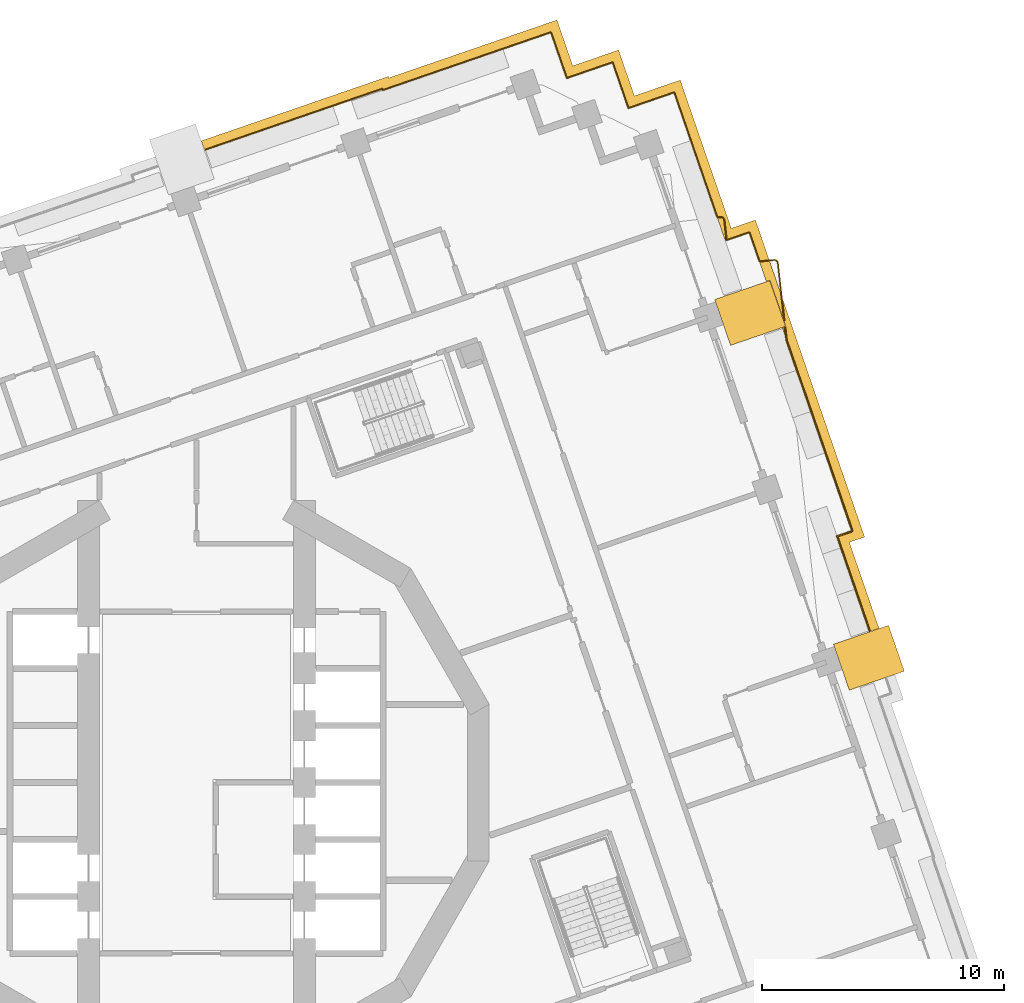
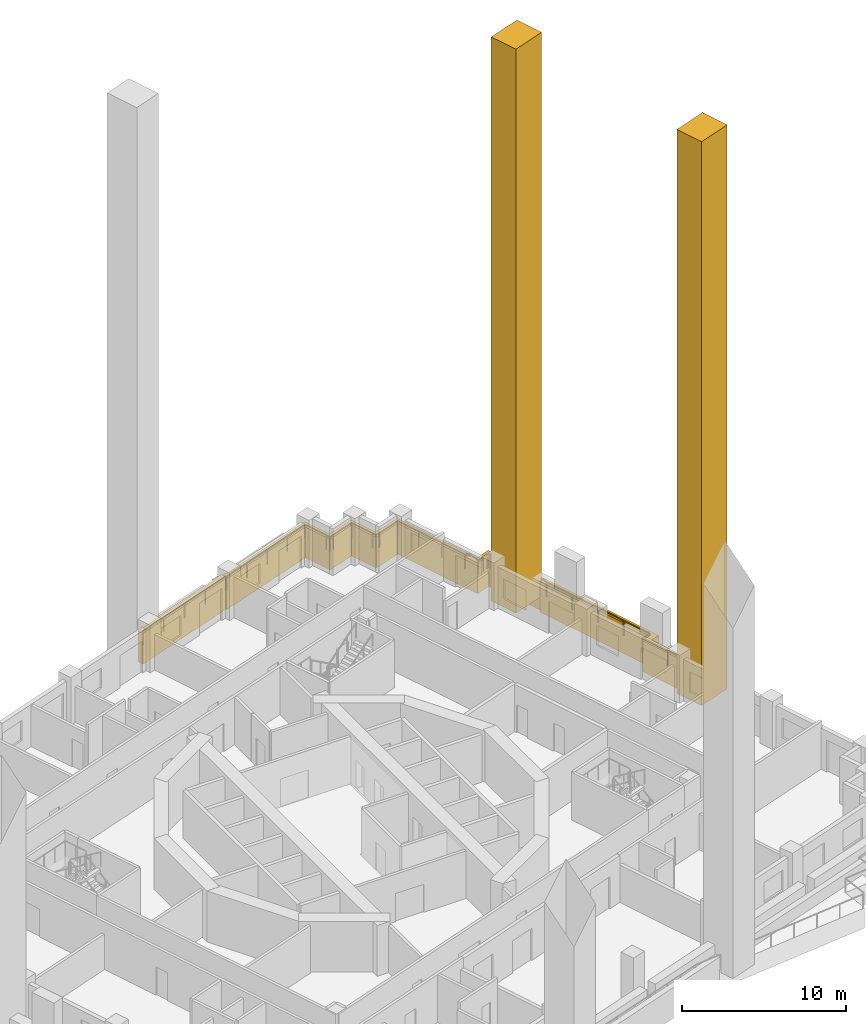
# One storey, part 17 of 18: 3 coverings, 2 railings.
"""IFC4 building model written with IfcOpenShell, lengths in metres."""

from ifc_helpers import new_model, si_unit, direction, frame, origin, origin_2d, place, context, subcontext, project, spatial, polyline, rectangle, circle, outline, extrude, material, type_object, element, save


model = new_model("IFC4")

# Units and contexts
model_context = context("Model", 3, precision=1e-05, world=origin(), true_north=direction((0.0, 1.0)))
body_context = subcontext(model_context, "Body", "Model", "MODEL_VIEW")
ifc_project = project(units=[si_unit("LENGTHUNIT", "METRE"), si_unit("AREAUNIT", "SQUARE_METRE"), si_unit("VOLUMEUNIT", "CUBIC_METRE"), si_unit("PLANEANGLEUNIT", "RADIAN"), si_unit("MASSUNIT", "GRAM", prefix="KILO")], contexts=[model_context])

# Site, building, storey
site_placement = place(None, origin())
site = spatial("IfcSite", under=ifc_project, at=site_placement, CompositionType="ELEMENT")
building_placement = place(site_placement, origin())
building = spatial("IfcBuilding", under=site, at=building_placement, Name="Cantera Rosa Tower", CompositionType="ELEMENT")
storey_placement = place(building_placement, frame((0.0, 0.0, 100.300048828125)))
storey = spatial("IfcBuildingStorey", under=building, at=storey_placement, Name="L19", CompositionType="ELEMENT", Elevation=100.300048828125)

# Railings
ifc_material_1 = material(Name="Stainless steel and laminated glass", Category="steel")
railing_type = type_object("IfcRailingType", Name="GUARD 1100", PredefinedType="BALUSTRADE", material=ifc_material_1)
railing_1_placement = place(storey_placement, frame((0.3525390625, 26.09814453125, 0.0)))
element("IfcRailing", 1, at=railing_1_placement, inside=storey, type_object=railing_type, Name="GUARD L19-10", PredefinedType="BALUSTRADE", context=body_context, shape_type="SweptSolid", body=[
    extrude(circle(Radius=0.030029296875, at=origin_2d()), frame((0.0, 0.0, 1.070068359375), z_axis=(0.945517189381, 0.325572180299, 0.0), x_axis=(-0.325572180299, 0.945517189381, 0.0)), (0.0, 0.0, 1.0), 7.731201171875),
    extrude(circle(Radius=0.030029296875, at=origin_2d()), frame((7.31005859375, 2.51708984375, 1.070068359375), z_axis=(0.325745820547, -0.945457381587, 0.0), x_axis=(0.945457381587, 0.325745820547, 0.0)), (0.0, 0.0, 1.0), 0.0615234375),
    extrude(circle(Radius=0.030029296875, at=origin_2d()), frame((7.330078125, 2.458984375, 1.070068359375), z_axis=(0.945524258857, 0.32555164861, 0.0), x_axis=(-0.32555164861, 0.945524258857, 0.0)), (0.0, 0.0, 1.0), 5.638671875),
    extrude(circle(Radius=0.030029296875, at=origin_2d()), frame((12.66162109375, 4.294677734375, 1.070068359375), z_axis=(0.945520918819, 0.325561349174, 0.0), x_axis=(-0.325561349174, 0.945520918819, 0.0)), (0.0, 0.0, 1.0), 1.699951171875),
    extrude(circle(Radius=0.030029296875, at=origin_2d()), frame((14.26904296875, 4.84814453125, 1.070068359375), z_axis=(0.325561349174, -0.945520918819, 0.0), x_axis=(0.945520918819, 0.325561349174, 0.0)), (0.0, 0.0, 1.0), 1.699951171875),
    extrude(circle(Radius=0.030029296875, at=origin_2d()), frame((14.822509765625, 3.24072265625, 1.070068359375), z_axis=(0.325489086777, -0.945545797087, 0.0), x_axis=(0.945545797087, 0.325489086777, 0.0)), (0.0, 0.0, 1.0), 0.300048828125),
    extrude(circle(Radius=0.030029296875, at=origin_2d()), frame((14.920166015625, 2.95703125, 1.070068359375), z_axis=(0.945459489149, 0.325739703411, 0.0), x_axis=(-0.325739703411, 0.945459489149, 0.0)), (0.0, 0.0, 1.0), 0.2998046875),
    extrude(circle(Radius=0.030029296875, at=origin_2d()), frame((15.20361328125, 3.0546875, 1.070068359375), z_axis=(0.945520918819, 0.325561349174, 0.0), x_axis=(-0.325561349174, 0.945520918819, 0.0)), (0.0, 0.0, 1.0), 1.699951171875),
    extrude(circle(Radius=0.030029296875, at=origin_2d()), frame((16.81103515625, 3.608154296875, 1.070068359375), z_axis=(0.325605561237, -0.945505694584, 0.0), x_axis=(0.945505694584, 0.325605561237, 0.0)), (0.0, 0.0, 1.0), 1.69970703125),
    extrude(circle(Radius=0.030029296875, at=origin_2d()), frame((17.364501953125, 2.0009765625, 1.070068359375), z_axis=(0.325489086777, -0.945545797087, 0.0), x_axis=(0.945545797087, 0.325489086777, 0.0)), (0.0, 0.0, 1.0), 0.300048828125),
    extrude(circle(Radius=0.030029296875, at=origin_2d()), frame((17.462158203125, 1.71728515625, 1.070068359375), z_axis=(0.945545797087, 0.325489086777, 0.0), x_axis=(-0.325489086777, 0.945545797087, 0.0)), (0.0, 0.0, 1.0), 0.300048828125),
    extrude(circle(Radius=0.030029296875, at=origin_2d()), frame((17.745849609375, 1.81494140625, 1.070068359375), z_axis=(0.945520918819, 0.325561349174, 0.0), x_axis=(-0.325561349174, 0.945520918819, 0.0)), (0.0, 0.0, 1.0), 1.699951171875),
    extrude(circle(Radius=0.030029296875, at=origin_2d()), frame((19.353271484375, 2.368408203125, 1.070068359375), z_axis=(0.325561349174, -0.945520918819, 0.0), x_axis=(0.945520918819, 0.325561349174, 0.0)), (0.0, 0.0, 1.0), 1.699951171875),
    extrude(circle(Radius=0.030029296875, at=origin_2d()), frame((19.90673828125, 0.760986328125, 1.070068359375), z_axis=(0.325563487495, -0.94552018255, 0.0), x_axis=(0.94552018255, 0.325563487495, 0.0)), (0.0, 0.0, 1.0), 3.751708984375),
    extrude(circle(Radius=0.030029296875, at=origin_2d()), frame((21.128173828125, -2.786376953125, 1.070068359375), z_axis=(0.993720777741, 0.111888408181, 0.0), x_axis=(-0.111888408181, 0.993720777741, 0.0)), (0.0, 0.0, 1.0), 0.128662109375),
    extrude(circle(Radius=0.030029296875, at=origin_2d()), frame((21.256103515625, -2.77197265625, 1.070068359375), z_axis=(0.998752338878, 0.049937616944, 0.0), x_axis=(-0.049937616944, 0.998752338878, 0.0)), (0.0, 0.0, 1.0), 0.0146484375),
    extrude(circle(Radius=0.030029296875, at=origin_2d()), frame((21.270751953125, -2.771240234375, 1.070068359375), z_axis=(0.999462943033, -0.032769276821, 0.0), x_axis=(0.032769276821, 0.999462943033, 0.0)), (0.0, 0.0, 1.0), 0.014892578125),
    extrude(circle(Radius=0.030029296875, at=origin_2d()), frame((21.28564453125, -2.771728515625, 1.070068359375), z_axis=(0.99093208818, -0.134363672974, 0.0), x_axis=(0.134363672974, 0.99093208818, 0.0)), (0.0, 0.0, 1.0), 0.0146484375),
    extrude(circle(Radius=0.030029296875, at=origin_2d()), frame((21.300048828125, -2.773681640625, 1.070068359375), z_axis=(0.972982875401, -0.230877292468, 0.0), x_axis=(0.230877292468, 0.972982875401, 0.0)), (0.0, 0.0, 1.0), 0.014892578125),
    extrude(circle(Radius=0.030029296875, at=origin_2d()), frame((21.314453125, -2.777099609375, 1.070068359375), z_axis=(0.943599982133, -0.331087713029, 0.0), x_axis=(0.331087713029, 0.943599982133, 0.0)), (0.0, 0.0, 1.0), 0.0146484375),
    extrude(circle(Radius=0.030029296875, at=origin_2d()), frame((21.328369140625, -2.781982421875, 1.070068359375), z_axis=(0.910366477463, -0.413802944301, 0.0), x_axis=(0.413802944301, 0.910366477463, 0.0)), (0.0, 0.0, 1.0), 0.0146484375),
    extrude(circle(Radius=0.030029296875, at=origin_2d()), frame((21.341796875, -2.7880859375, 1.070068359375), z_axis=(0.866185586049, -0.49972245349, 0.0), x_axis=(0.49972245349, 0.866185586049, 0.0)), (0.0, 0.0, 1.0), 0.0146484375),
    extrude(circle(Radius=0.030029296875, at=origin_2d()), frame((21.3544921875, -2.79541015625, 1.070068359375), z_axis=(0.813733471207, -0.581238193719, 0.0), x_axis=(0.581238193719, 0.813733471207, 0.0)), (0.0, 0.0, 1.0), 0.0146484375),
    extrude(circle(Radius=0.030029296875, at=origin_2d()), frame((21.366455078125, -2.803955078125, 1.070068359375), z_axis=(0.747409318684, -0.66436383883, 0.0), x_axis=(0.66436383883, 0.747409318684, 0.0)), (0.0, 0.0, 1.0), 0.0146484375),
    extrude(circle(Radius=0.030029296875, at=origin_2d()), frame((21.37744140625, -2.813720703125, 1.070068359375), z_axis=(0.673489996184, -0.739196337275, 0.0), x_axis=(0.739196337275, 0.673489996184, 0.0)), (0.0, 0.0, 1.0), 0.014892578125),
    extrude(circle(Radius=0.030029296875, at=origin_2d()), frame((21.387451171875, -2.82470703125, 1.070068359375), z_axis=(0.618559606331, -0.785737878313, 0.0), x_axis=(0.785737878313, 0.618559606331, 0.0)), (0.0, 0.0, 1.0), 0.0146484375),
    extrude(circle(Radius=0.030029296875, at=origin_2d()), frame((21.396484375, -2.836181640625, 1.070068359375), z_axis=(0.512064542317, -0.858946974209, 0.0), x_axis=(0.858946974209, 0.512064542317, 0.0)), (0.0, 0.0, 1.0), 0.014892578125),
    extrude(circle(Radius=0.030029296875, at=origin_2d()), frame((21.404052734375, -2.848876953125, 1.070068359375), z_axis=(0.4472135955, -0.894427191, 0.0), x_axis=(0.894427191, 0.4472135955, 0.0)), (0.0, 0.0, 1.0), 0.0146484375),
    extrude(circle(Radius=0.030029296875, at=origin_2d()), frame((21.41064453125, -2.862060546875, 1.070068359375), z_axis=(0.345705358827, -0.938343116817, 0.0), x_axis=(0.938343116817, 0.345705358827, 0.0)), (0.0, 0.0, 1.0), 0.014892578125),
    extrude(circle(Radius=0.030029296875, at=origin_2d()), frame((21.415771484375, -2.8759765625, 1.070068359375), z_axis=(0.250382821969, -0.968146911612, 0.0), x_axis=(0.968146911612, 0.250382821969, 0.0)), (0.0, 0.0, 1.0), 0.0146484375),
    extrude(circle(Radius=0.030029296875, at=origin_2d()), frame((21.41943359375, -2.89013671875, 1.070068359375), z_axis=(0.167108230108, -0.985938557634, 0.0), x_axis=(0.985938557634, 0.167108230108, 0.0)), (0.0, 0.0, 1.0), 0.0146484375),
    extrude(circle(Radius=0.030029296875, at=origin_2d()), frame((21.421875, -2.904541015625, 1.070068359375), z_axis=(0.110301350442, -0.993898190003, 0.0), x_axis=(0.993898190003, 0.110301350442, 0.0)), (0.0, 0.0, 1.0), 0.823486328125),
    extrude(circle(Radius=0.030029296875, at=origin_2d()), frame((21.5126953125, -3.722900390625, 1.070068359375), z_axis=(0.141421356237, -0.989949493661, 0.0), x_axis=(0.989949493661, 0.141421356237, 0.0)), (0.0, 0.0, 1.0), 0.00341796875),
    extrude(circle(Radius=0.030029296875, at=origin_2d()), frame((21.51318359375, -3.726318359375, 1.070068359375), z_axis=(0.964763821238, 0.263117405792, 0.0), x_axis=(-0.263117405792, 0.964763821238, 0.0)), (0.0, 0.0, 1.0), 0.002685546875),
    extrude(circle(Radius=0.030029296875, at=origin_2d()), frame((21.515869140625, -3.7255859375, 1.070068359375), z_axis=(0.945630789011, 0.325242080419, 0.0), x_axis=(-0.325242080419, 0.945630789011, 0.0)), (0.0, 0.0, 1.0), 0.46240234375),
    extrude(circle(Radius=0.030029296875, at=origin_2d()), frame((21.953125, -3.5751953125, 1.070068359375), z_axis=(0.945495531654, 0.325635071241, 0.0), x_axis=(-0.325635071241, 0.945495531654, 0.0)), (0.0, 0.0, 1.0), 0.380859375),
    extrude(circle(Radius=0.030029296875, at=origin_2d()), frame((22.313232421875, -3.451171875, 1.070068359375), z_axis=(0.894427191, 0.4472135955, 0.0), x_axis=(-0.4472135955, 0.894427191, 0.0)), (0.0, 0.0, 1.0), 0.00048828125),
    extrude(circle(Radius=0.030029296875, at=origin_2d()), frame((22.313720703125, -3.450927734375, 1.070068359375), z_axis=(0.945702289653, 0.325034120278, 0.0), x_axis=(-0.325034120278, 0.945702289653, 0.0)), (0.0, 0.0, 1.0), 0.1494140625),
    extrude(circle(Radius=0.030029296875, at=origin_2d()), frame((22.455078125, -3.40234375, 1.070068359375), z_axis=(0.324532784785, -0.945874448117, 0.0), x_axis=(0.945874448117, 0.324532784785, 0.0)), (0.0, 0.0, 1.0), 0.149658203125),
    extrude(circle(Radius=0.030029296875, at=origin_2d()), frame((22.503662109375, -3.5439453125, 1.070068359375), z_axis=(0.707106781187, -0.707106781187, 0.0), x_axis=(0.707106781187, 0.707106781187, 0.0)), (0.0, 0.0, 1.0), 0.000244140625),
    extrude(circle(Radius=0.030029296875, at=origin_2d()), frame((22.50390625, -3.544189453125, 1.070068359375), z_axis=(0.324870696456, -0.945758441984, 0.0), x_axis=(0.945758441984, 0.324870696456, 0.0)), (0.0, 0.0, 1.0), 0.228515625),
    extrude(circle(Radius=0.030029296875, at=origin_2d()), frame((22.578125, -3.76025390625, 1.070068359375), z_axis=(0.325745820547, -0.945457381587, 0.0), x_axis=(0.945457381587, 0.325745820547, 0.0)), (0.0, 0.0, 1.0), 0.89111328125),
    extrude(circle(Radius=0.030029296875, at=origin_2d()), frame((22.868408203125, -4.602783203125, 1.070068359375), z_axis=(0.371390676354, -0.928476690885, 0.0), x_axis=(0.928476690885, 0.371390676354, 0.0)), (0.0, 0.0, 1.0), 0.002685546875),
    extrude(circle(Radius=0.030029296875, at=origin_2d()), frame((22.869384765625, -4.605224609375, 1.070068359375), z_axis=(0.997458699831, 0.071247049988, 0.0), x_axis=(-0.071247049988, 0.997458699831, 0.0)), (0.0, 0.0, 1.0), 0.00341796875),
    extrude(circle(Radius=0.030029296875, at=origin_2d()), frame((22.872802734375, -4.60498046875, 1.070068359375), z_axis=(0.99389872639, 0.110296517079, 0.0), x_axis=(-0.110296517079, 0.99389872639, 0.0)), (0.0, 0.0, 1.0), 0.595458984375),
    extrude(circle(Radius=0.030029296875, at=origin_2d()), frame((23.464599609375, -4.539306640625, 1.070068359375), z_axis=(0.997785157857, 0.066519010524, 0.0), x_axis=(-0.066519010524, 0.997785157857, 0.0)), (0.0, 0.0, 1.0), 0.0146484375),
    extrude(circle(Radius=0.030029296875, at=origin_2d()), frame((23.479248046875, -4.538330078125, 1.070068359375), z_axis=(0.999444906979, -0.033314830233, 0.0), x_axis=(0.033314830233, 0.999444906979, 0.0)), (0.0, 0.0, 1.0), 0.0146484375),
    extrude(circle(Radius=0.030029296875, at=origin_2d()), frame((23.493896484375, -4.538818359375, 1.070068359375), z_axis=(0.991227900683, -0.132163720091, 0.0), x_axis=(0.132163720091, 0.991227900683, 0.0)), (0.0, 0.0, 1.0), 0.014892578125),
    extrude(circle(Radius=0.030029296875, at=origin_2d()), frame((23.508544921875, -4.540771484375, 1.070068359375), z_axis=(0.972982875401, -0.230877292468, 0.0), x_axis=(0.230877292468, 0.972982875401, 0.0)), (0.0, 0.0, 1.0), 0.014892578125),
    extrude(circle(Radius=0.030029296875, at=origin_2d()), frame((23.52294921875, -4.544189453125, 1.070068359375), z_axis=(0.943599982133, -0.331087713029, 0.0), x_axis=(0.331087713029, 0.943599982133, 0.0)), (0.0, 0.0, 1.0), 0.0146484375),
    extrude(circle(Radius=0.030029296875, at=origin_2d()), frame((23.536865234375, -4.549072265625, 1.070068359375), z_axis=(0.910366477463, -0.413802944301, 0.0), x_axis=(0.413802944301, 0.910366477463, 0.0)), (0.0, 0.0, 1.0), 0.0146484375),
    extrude(circle(Radius=0.030029296875, at=origin_2d()), frame((23.55029296875, -4.55517578125, 1.070068359375), z_axis=(0.866185586049, -0.49972245349, 0.0), x_axis=(0.49972245349, 0.866185586049, 0.0)), (0.0, 0.0, 1.0), 0.0146484375),
    extrude(circle(Radius=0.030029296875, at=origin_2d()), frame((23.56298828125, -4.5625, 1.070068359375), z_axis=(0.813733471207, -0.581238193719, 0.0), x_axis=(0.581238193719, 0.813733471207, 0.0)), (0.0, 0.0, 1.0), 0.0146484375),
    extrude(circle(Radius=0.030029296875, at=origin_2d()), frame((23.574951171875, -4.571044921875, 1.070068359375), z_axis=(0.747409318684, -0.66436383883, 0.0), x_axis=(0.66436383883, 0.747409318684, 0.0)), (0.0, 0.0, 1.0), 0.0146484375),
    extrude(circle(Radius=0.030029296875, at=origin_2d()), frame((23.5859375, -4.580810546875, 1.070068359375), z_axis=(0.673489996184, -0.739196337275, 0.0), x_axis=(0.739196337275, 0.673489996184, 0.0)), (0.0, 0.0, 1.0), 0.014892578125),
    extrude(circle(Radius=0.030029296875, at=origin_2d()), frame((23.595947265625, -4.591796875, 1.070068359375), z_axis=(0.6, -0.8, 0.0), x_axis=(0.8, 0.6, 0.0)), (0.0, 0.0, 1.0), 0.0146484375),
    extrude(circle(Radius=0.030029296875, at=origin_2d()), frame((23.604736328125, -4.603515625, 1.070068359375), z_axis=(0.531491071064, -0.847063894508, 0.0), x_axis=(0.847063894508, 0.531491071064, 0.0)), (0.0, 0.0, 1.0), 0.0146484375),
    extrude(circle(Radius=0.030029296875, at=origin_2d()), frame((23.612548828125, -4.615966796875, 1.070068359375), z_axis=(0.433815618773, -0.901001669759, 0.0), x_axis=(0.901001669759, 0.433815618773, 0.0)), (0.0, 0.0, 1.0), 0.0146484375),
    extrude(circle(Radius=0.030029296875, at=origin_2d()), frame((23.618896484375, -4.629150390625, 1.070068359375), z_axis=(0.345705358827, -0.938343116817, 0.0), x_axis=(0.938343116817, 0.345705358827, 0.0)), (0.0, 0.0, 1.0), 0.014892578125),
    extrude(circle(Radius=0.030029296875, at=origin_2d()), frame((23.6240234375, -4.64306640625, 1.070068359375), z_axis=(0.265928998126, -0.963992618206, 0.0), x_axis=(0.963992618206, 0.265928998126, 0.0)), (0.0, 0.0, 1.0), 0.0146484375),
    extrude(circle(Radius=0.030029296875, at=origin_2d()), frame((23.6279296875, -4.6572265625, 1.070068359375), z_axis=(0.150797989671, -0.988564598957, 0.0), x_axis=(0.988564598957, 0.150797989671, 0.0)), (0.0, 0.0, 1.0), 0.0146484375),
    extrude(circle(Radius=0.030029296875, at=origin_2d()), frame((23.630126953125, -4.671630859375, 1.070068359375), z_axis=(0.110363980542, -0.993891237409, 0.0), x_axis=(0.993891237409, 0.110363980542, 0.0)), (0.0, 0.0, 1.0), 2.38037109375),
    extrude(circle(Radius=0.02490234375, at=origin_2d()), origin(), (0.0, 0.0, 1.0), 1.0400390625),
    extrude(circle(Radius=0.02490234375, at=origin_2d()), frame((1.82763671875, 0.62939453125, 0.0)), (0.0, 0.0, 1.0), 1.0400390625),
    extrude(circle(Radius=0.02490234375, at=origin_2d()), frame((3.655029296875, 1.258544921875, 0.0)), (0.0, 0.0, 1.0), 1.0400390625),
    extrude(circle(Radius=0.02490234375, at=origin_2d()), frame((5.482421875, 1.8876953125, 0.0)), (0.0, 0.0, 1.0), 1.0400390625),
    extrude(circle(Radius=0.02490234375, at=origin_2d()), frame((7.31005859375, 2.51708984375, 0.0)), (0.0, 0.0, 1.0), 1.0400390625),
    extrude(circle(Radius=0.02490234375, at=origin_2d()), frame((7.330078125, 2.458984375, 0.0)), (0.0, 0.0, 1.0), 1.0400390625),
    extrude(circle(Radius=0.02490234375, at=origin_2d()), frame((9.107177734375, 3.07080078125, 0.0)), (0.0, 0.0, 1.0), 1.0400390625),
    extrude(circle(Radius=0.02490234375, at=origin_2d()), frame((10.884521484375, 3.682861328125, 0.0)), (0.0, 0.0, 1.0), 1.0400390625),
    extrude(circle(Radius=0.02490234375, at=origin_2d()), frame((12.66162109375, 4.294677734375, 0.0)), (0.0, 0.0, 1.0), 1.0400390625),
    extrude(circle(Radius=0.02490234375, at=origin_2d()), frame((14.26904296875, 4.84814453125, 0.0)), (0.0, 0.0, 1.0), 1.0400390625),
    extrude(circle(Radius=0.02490234375, at=origin_2d()), frame((14.822509765625, 3.24072265625, 0.0)), (0.0, 0.0, 1.0), 1.0400390625),
    extrude(circle(Radius=0.02490234375, at=origin_2d()), frame((14.920166015625, 2.95703125, 0.0)), (0.0, 0.0, 1.0), 1.0400390625),
    extrude(circle(Radius=0.02490234375, at=origin_2d()), frame((15.20361328125, 3.0546875, 0.0)), (0.0, 0.0, 1.0), 1.0400390625),
    extrude(circle(Radius=0.02490234375, at=origin_2d()), frame((16.81103515625, 3.608154296875, 0.0)), (0.0, 0.0, 1.0), 1.0400390625),
    extrude(circle(Radius=0.02490234375, at=origin_2d()), frame((17.364501953125, 2.0009765625, 0.0)), (0.0, 0.0, 1.0), 1.0400390625),
    extrude(circle(Radius=0.02490234375, at=origin_2d()), frame((17.462158203125, 1.71728515625, 0.0)), (0.0, 0.0, 1.0), 1.0400390625),
    extrude(circle(Radius=0.02490234375, at=origin_2d()), frame((17.745849609375, 1.81494140625, 0.0)), (0.0, 0.0, 1.0), 1.0400390625),
    extrude(circle(Radius=0.02490234375, at=origin_2d()), frame((19.353271484375, 2.368408203125, 0.0)), (0.0, 0.0, 1.0), 1.0400390625),
    extrude(circle(Radius=0.02490234375, at=origin_2d()), frame((19.90673828125, 0.760986328125, 0.0)), (0.0, 0.0, 1.0), 1.0400390625),
    extrude(circle(Radius=0.02490234375, at=origin_2d()), frame((20.517578125, -1.0126953125, 0.0)), (0.0, 0.0, 1.0), 1.0400390625),
    extrude(circle(Radius=0.02490234375, at=origin_2d()), frame((21.128173828125, -2.786376953125, 0.0)), (0.0, 0.0, 1.0), 1.0400390625),
    extrude(circle(Radius=0.02490234375, at=origin_2d()), frame((21.256103515625, -2.77197265625, 0.0)), (0.0, 0.0, 1.0), 1.0400390625),
    extrude(circle(Radius=0.02490234375, at=origin_2d()), frame((21.270751953125, -2.771240234375, 0.0)), (0.0, 0.0, 1.0), 1.0400390625),
    extrude(circle(Radius=0.02490234375, at=origin_2d()), frame((21.28564453125, -2.771728515625, 0.0)), (0.0, 0.0, 1.0), 1.0400390625),
    extrude(circle(Radius=0.02490234375, at=origin_2d()), frame((21.300048828125, -2.773681640625, 0.0)), (0.0, 0.0, 1.0), 1.0400390625),
    extrude(circle(Radius=0.02490234375, at=origin_2d()), frame((21.314453125, -2.777099609375, 0.0)), (0.0, 0.0, 1.0), 1.0400390625),
    extrude(circle(Radius=0.02490234375, at=origin_2d()), frame((21.328369140625, -2.781982421875, 0.0)), (0.0, 0.0, 1.0), 1.0400390625),
    extrude(circle(Radius=0.02490234375, at=origin_2d()), frame((21.341796875, -2.7880859375, 0.0)), (0.0, 0.0, 1.0), 1.0400390625),
    extrude(circle(Radius=0.02490234375, at=origin_2d()), frame((21.3544921875, -2.79541015625, 0.0)), (0.0, 0.0, 1.0), 1.0400390625),
    extrude(circle(Radius=0.02490234375, at=origin_2d()), frame((21.366455078125, -2.803955078125, 0.0)), (0.0, 0.0, 1.0), 1.0400390625),
    extrude(circle(Radius=0.02490234375, at=origin_2d()), frame((21.37744140625, -2.813720703125, 0.0)), (0.0, 0.0, 1.0), 1.0400390625),
    extrude(circle(Radius=0.02490234375, at=origin_2d()), frame((21.387451171875, -2.82470703125, 0.0)), (0.0, 0.0, 1.0), 1.0400390625),
    extrude(circle(Radius=0.02490234375, at=origin_2d()), frame((21.396484375, -2.836181640625, 0.0)), (0.0, 0.0, 1.0), 1.0400390625),
    extrude(circle(Radius=0.02490234375, at=origin_2d()), frame((21.404052734375, -2.848876953125, 0.0)), (0.0, 0.0, 1.0), 1.0400390625),
    extrude(circle(Radius=0.02490234375, at=origin_2d()), frame((21.41064453125, -2.862060546875, 0.0)), (0.0, 0.0, 1.0), 1.0400390625),
    extrude(circle(Radius=0.02490234375, at=origin_2d()), frame((21.415771484375, -2.8759765625, 0.0)), (0.0, 0.0, 1.0), 1.0400390625),
    extrude(circle(Radius=0.02490234375, at=origin_2d()), frame((21.41943359375, -2.89013671875, 0.0)), (0.0, 0.0, 1.0), 1.0400390625),
    extrude(circle(Radius=0.02490234375, at=origin_2d()), frame((21.421875, -2.904541015625, 0.0)), (0.0, 0.0, 1.0), 1.0400390625),
    extrude(circle(Radius=0.02490234375, at=origin_2d()), frame((21.5126953125, -3.722900390625, 0.0)), (0.0, 0.0, 1.0), 1.0400390625),
    extrude(circle(Radius=0.02490234375, at=origin_2d()), frame((21.51318359375, -3.726318359375, 0.0)), (0.0, 0.0, 1.0), 1.0400390625),
    extrude(circle(Radius=0.02490234375, at=origin_2d()), frame((21.515869140625, -3.7255859375, 0.0)), (0.0, 0.0, 1.0), 1.0400390625),
    extrude(circle(Radius=0.02490234375, at=origin_2d()), frame((21.953125, -3.5751953125, 0.0)), (0.0, 0.0, 1.0), 1.0400390625),
    extrude(circle(Radius=0.02490234375, at=origin_2d()), frame((22.313232421875, -3.451171875, 0.0)), (0.0, 0.0, 1.0), 1.0400390625),
    extrude(circle(Radius=0.02490234375, at=origin_2d()), frame((22.313720703125, -3.450927734375, 0.0)), (0.0, 0.0, 1.0), 1.0400390625),
    extrude(circle(Radius=0.02490234375, at=origin_2d()), frame((22.455078125, -3.40234375, 0.0)), (0.0, 0.0, 1.0), 1.0400390625),
    extrude(circle(Radius=0.02490234375, at=origin_2d()), frame((22.503662109375, -3.5439453125, 0.0)), (0.0, 0.0, 1.0), 1.0400390625),
    extrude(circle(Radius=0.02490234375, at=origin_2d()), frame((22.50390625, -3.544189453125, 0.0)), (0.0, 0.0, 1.0), 1.0400390625),
    extrude(circle(Radius=0.02490234375, at=origin_2d()), frame((22.578125, -3.76025390625, 0.0)), (0.0, 0.0, 1.0), 1.0400390625),
    extrude(circle(Radius=0.02490234375, at=origin_2d()), frame((22.868408203125, -4.602783203125, 0.0)), (0.0, 0.0, 1.0), 1.0400390625),
    extrude(circle(Radius=0.02490234375, at=origin_2d()), frame((22.869384765625, -4.605224609375, 0.0)), (0.0, 0.0, 1.0), 1.0400390625),
    extrude(circle(Radius=0.02490234375, at=origin_2d()), frame((22.872802734375, -4.60498046875, 0.0)), (0.0, 0.0, 1.0), 1.0400390625),
    extrude(circle(Radius=0.02490234375, at=origin_2d()), frame((23.464599609375, -4.539306640625, 0.0)), (0.0, 0.0, 1.0), 1.0400390625),
    extrude(circle(Radius=0.02490234375, at=origin_2d()), frame((23.479248046875, -4.538330078125, 0.0)), (0.0, 0.0, 1.0), 1.0400390625),
    extrude(circle(Radius=0.02490234375, at=origin_2d()), frame((23.493896484375, -4.538818359375, 0.0)), (0.0, 0.0, 1.0), 1.0400390625),
    extrude(circle(Radius=0.02490234375, at=origin_2d()), frame((23.508544921875, -4.540771484375, 0.0)), (0.0, 0.0, 1.0), 1.0400390625),
    extrude(circle(Radius=0.02490234375, at=origin_2d()), frame((23.52294921875, -4.544189453125, 0.0)), (0.0, 0.0, 1.0), 1.0400390625),
    extrude(circle(Radius=0.02490234375, at=origin_2d()), frame((23.536865234375, -4.549072265625, 0.0)), (0.0, 0.0, 1.0), 1.0400390625),
    extrude(circle(Radius=0.02490234375, at=origin_2d()), frame((23.55029296875, -4.55517578125, 0.0)), (0.0, 0.0, 1.0), 1.0400390625),
    extrude(circle(Radius=0.02490234375, at=origin_2d()), frame((23.56298828125, -4.5625, 0.0)), (0.0, 0.0, 1.0), 1.0400390625),
    extrude(circle(Radius=0.02490234375, at=origin_2d()), frame((23.574951171875, -4.571044921875, 0.0)), (0.0, 0.0, 1.0), 1.0400390625),
    extrude(circle(Radius=0.02490234375, at=origin_2d()), frame((23.5859375, -4.580810546875, 0.0)), (0.0, 0.0, 1.0), 1.0400390625),
    extrude(circle(Radius=0.02490234375, at=origin_2d()), frame((23.595947265625, -4.591796875, 0.0)), (0.0, 0.0, 1.0), 1.0400390625),
    extrude(circle(Radius=0.02490234375, at=origin_2d()), frame((23.604736328125, -4.603515625, 0.0)), (0.0, 0.0, 1.0), 1.0400390625),
    extrude(circle(Radius=0.02490234375, at=origin_2d()), frame((23.612548828125, -4.615966796875, 0.0)), (0.0, 0.0, 1.0), 1.0400390625),
    extrude(circle(Radius=0.02490234375, at=origin_2d()), frame((23.618896484375, -4.629150390625, 0.0)), (0.0, 0.0, 1.0), 1.0400390625),
    extrude(circle(Radius=0.02490234375, at=origin_2d()), frame((23.6240234375, -4.64306640625, 0.0)), (0.0, 0.0, 1.0), 1.0400390625),
    extrude(circle(Radius=0.02490234375, at=origin_2d()), frame((23.6279296875, -4.6572265625, 0.0)), (0.0, 0.0, 1.0), 1.0400390625),
    extrude(circle(Radius=0.02490234375, at=origin_2d()), frame((23.630126953125, -4.671630859375, 0.0)), (0.0, 0.0, 1.0), 1.0400390625),
    extrude(circle(Radius=0.02490234375, at=origin_2d()), frame((23.761474609375, -5.8544921875, 0.0)), (0.0, 0.0, 1.0), 1.0400390625),
    extrude(circle(Radius=0.02490234375, at=origin_2d()), frame((23.892822265625, -7.037353515625, 0.0)), (0.0, 0.0, 1.0), 1.0400390625),
])
railing_2_placement = place(storey_placement, frame((24.27685546875, 18.77685546875, 0.0)))
element("IfcRailing", 2, at=railing_2_placement, inside=storey, type_object=railing_type, Name="GUARD L19-11", PredefinedType="BALUSTRADE", context=body_context, shape_type="SweptSolid", body=[
    extrude(circle(Radius=0.030029296875, at=origin_2d()), frame((0.0, 0.0, 1.070068359375), z_axis=(0.110016923225, -0.993929714117, 0.0), x_axis=(0.993929714117, 0.110016923225, 0.0)), (0.0, 0.0, 1.0), 0.51708984375),
    extrude(circle(Radius=0.030029296875, at=origin_2d()), frame((0.056884765625, -0.513916015625, 1.070068359375), z_axis=(0.325591885377, -0.945510404055, 0.0), x_axis=(0.945510404055, 0.325591885377, 0.0)), (0.0, 0.0, 1.0), 8.339599609375),
    extrude(circle(Radius=0.030029296875, at=origin_2d()), frame((2.772216796875, -8.399169921875, 1.070068359375), z_axis=(-0.945591306029, -0.325356853259, 0.0), x_axis=(0.325356853259, -0.945591306029, 0.0)), (0.0, 0.0, 1.0), 0.664794921875),
    extrude(circle(Radius=0.030029296875, at=origin_2d()), frame((2.1435546875, -8.615478515625, 1.070068359375), z_axis=(0.325526781046, -0.945532820595, 0.0), x_axis=(0.945532820595, 0.325526781046, 0.0)), (0.0, 0.0, 1.0), 4.13623046875),
    extrude(circle(Radius=0.02490234375, at=origin_2d()), origin(), (0.0, 0.0, 1.0), 1.0400390625),
    extrude(circle(Radius=0.02490234375, at=origin_2d()), frame((0.056884765625, -0.513916015625, 0.0)), (0.0, 0.0, 1.0), 1.0400390625),
    extrude(circle(Radius=0.02490234375, at=origin_2d()), frame((0.73583984375, -2.4853515625, 0.0)), (0.0, 0.0, 1.0), 1.0400390625),
    extrude(circle(Radius=0.02490234375, at=origin_2d()), frame((1.41455078125, -4.45654296875, 0.0)), (0.0, 0.0, 1.0), 1.0400390625),
    extrude(circle(Radius=0.02490234375, at=origin_2d()), frame((2.09326171875, -6.427734375, 0.0)), (0.0, 0.0, 1.0), 1.0400390625),
    extrude(circle(Radius=0.02490234375, at=origin_2d()), frame((2.772216796875, -8.399169921875, 0.0)), (0.0, 0.0, 1.0), 1.0400390625),
    extrude(circle(Radius=0.02490234375, at=origin_2d()), frame((2.1435546875, -8.615478515625, 0.0)), (0.0, 0.0, 1.0), 1.0400390625),
    extrude(circle(Radius=0.02490234375, at=origin_2d()), frame((2.81689453125, -10.57080078125, 0.0)), (0.0, 0.0, 1.0), 1.0400390625),
    extrude(circle(Radius=0.02490234375, at=origin_2d()), frame((3.489990234375, -12.5263671875, 0.0)), (0.0, 0.0, 1.0), 1.0400390625),
])

# Coverings
ifc_material_2 = material(Name="Cantera stone", Category="masonry")
covering_type_1 = type_object("IfcCoveringType", Name="STONE FIN 2000x2400", PredefinedType="CLADDING", material=ifc_material_2)
for number, where, z_axis, x_axis, name in (
    (3, (27.734375, 5.14990234375, -0.300048828125), (0.0, 0.0, 1.0), (-0.325568154457, 0.945518575599, 0.0), "STONE FIN FN-Z2-01"),
    (4, (22.837890625, 19.37060546875, -0.300048828125), (0.0, 0.0, 1.0), (-0.325568154457, 0.945518575599, 0.0), "STONE FIN FN-Z2-02"),
):
    element("IfcCovering", number, at=place(storey_placement, frame(where, z_axis=z_axis, x_axis=x_axis)), inside=storey, type_object=covering_type_1, Name=name, PredefinedType="CLADDING", context=body_context, shape_type="SweptSolid", body=[
        extrude(rectangle(XDim=2.0, YDim=2.39990234375, at=origin_2d()), origin(), (0.0, 0.0, 1.0), 42.10009765625),
    ])
ifc_material_3 = material(Name="Cantera stone", Category="masonry")
covering_type_2 = type_object("IfcCoveringType", Name="TRAY FASCIA 400", PredefinedType="CLADDING", material=ifc_material_3)
covering_placement = place(storey_placement, frame((0.0, 0.0, -1.400146484375)))
element("IfcCovering", 5, at=covering_placement, inside=storey, type_object=covering_type_2, Name="TRAY FASCIA L19-05", PredefinedType="CLADDING", context=body_context, shape_type="SweptSolid", body=[
    extrude(outline(polyline([(7.91064453125, 29.12353515625), (7.9306640625, 29.0654296875), (12.8837890625, 30.77099609375), (14.869384765625, 31.454833984375), (15.5205078125, 29.563720703125), (17.41162109375, 30.21484375), (18.062744140625, 28.32373046875), (19.953857421875, 28.974853515625), (20.637451171875, 26.9892578125), (22.058837890625, 22.861083984375), (23.055419921875, 23.204345703125), (27.557373046875, 10.129638671875), (26.9287109375, 9.913330078125), (28.151611328125, 6.36181640625), (27.7734375, 6.231689453125), (26.42041015625, 10.161376953125), (27.049072265625, 10.377685546875), (24.1630859375, 18.7587890625), (24.30126953125, 18.806396484375), (24.30224609375, 18.806640625), (24.302978515625, 18.80712890625), (24.303955078125, 18.8076171875), (24.3046875, 18.808349609375), (24.305419921875, 18.808837890625), (24.305908203125, 18.809814453125), (24.306396484375, 18.810546875), (24.306884765625, 18.811279296875), (24.307373046875, 18.812255859375), (24.3076171875, 18.813232421875), (24.307861328125, 18.814208984375), (24.307861328125, 18.815185546875), (24.307861328125, 18.816162109375), (24.307861328125, 18.817138671875), (24.3076171875, 18.818115234375), (24.307373046875, 18.819091796875), (23.65625, 20.7099609375), (23.656005859375, 20.7109375), (23.655517578125, 20.7119140625), (23.655029296875, 20.712646484375), (23.654296875, 20.71337890625), (23.653564453125, 20.714111328125), (23.65283203125, 20.71484375), (23.652099609375, 20.71533203125), (23.651123046875, 20.7158203125), (23.650390625, 20.716064453125), (23.6494140625, 20.716552734375), (23.6484375, 20.716552734375), (23.6474609375, 20.716796875), (23.646484375, 20.716796875), (23.6455078125, 20.716796875), (23.64453125, 20.716552734375), (23.6435546875, 20.71630859375), (23.505615234375, 20.668701171875), (22.8076171875, 22.69580078125), (21.81103515625, 22.352783203125), (20.25927734375, 26.859130859375), (19.705810546875, 28.466552734375), (18.098388671875, 27.9130859375), (17.814697265625, 27.8154296875), (17.717041015625, 28.09912109375), (17.16357421875, 29.706298828125), (15.55615234375, 29.15283203125), (15.272705078125, 29.05517578125), (15.175048828125, 29.3388671875), (14.62158203125, 30.9462890625), (13.01416015625, 30.392822265625), (7.6826171875, 28.55712890625), (7.66259765625, 28.615234375), (0.33349609375, 26.091552734375), (0.203369140625, 26.4697265625), (7.91064453125, 29.12353515625)])), origin(), (0.0, 0.0, 1.0), 2.300048828125),
])

save(model, "model.ifc")
